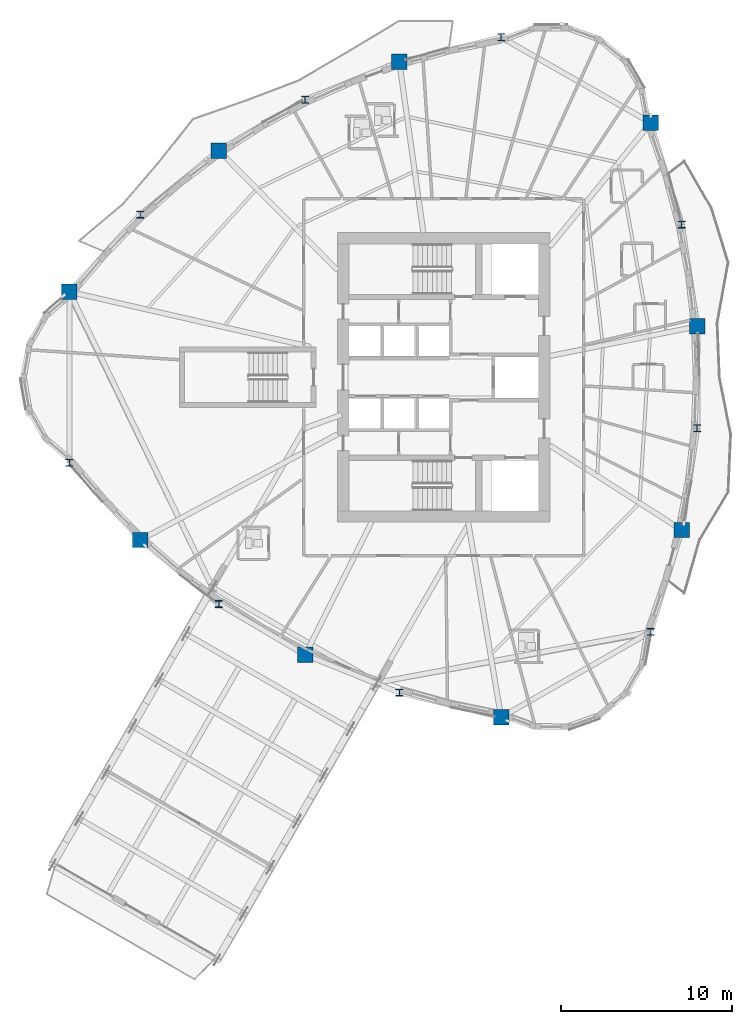
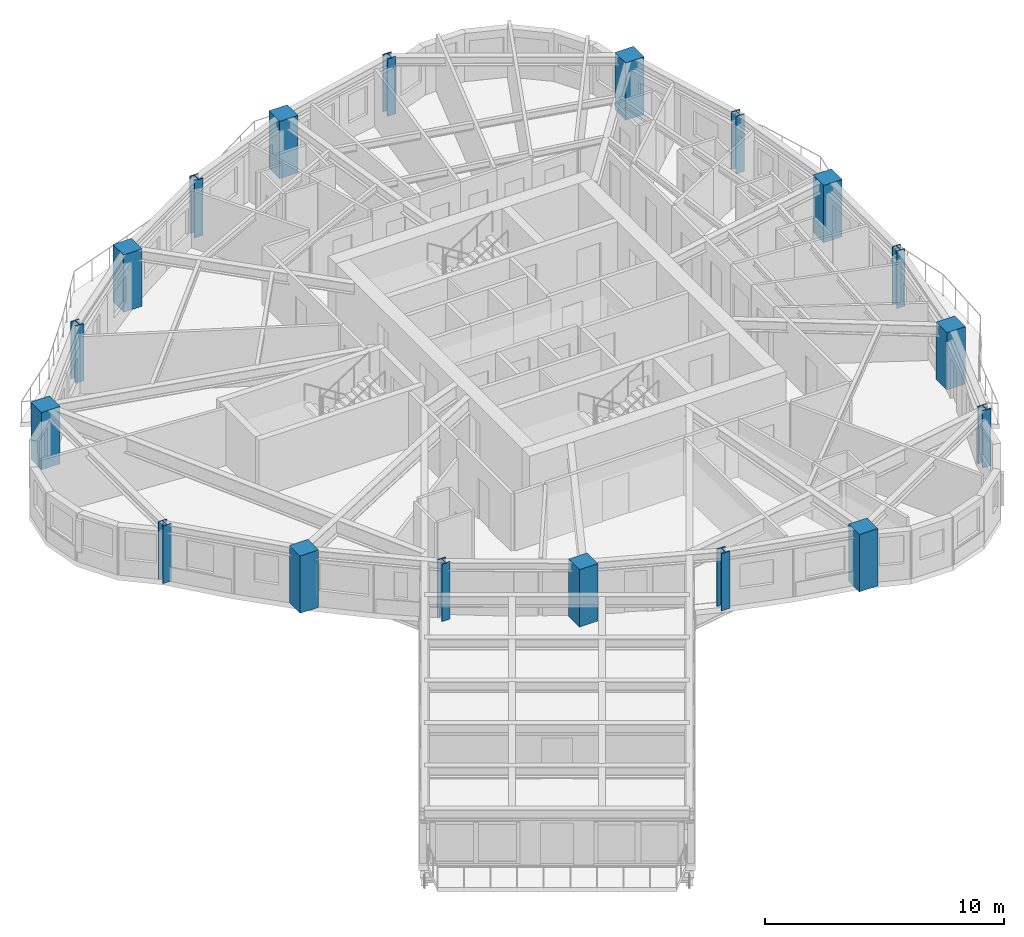
# One storey, part 1 of 17: 18 columns.
"""IFC4 building model written with IfcOpenShell, lengths in metres."""

from ifc_helpers import new_model, si_unit, direction, frame, origin, origin_2d, place, context, subcontext, project, spatial, rectangle, i_section, extrude, source, transform, mapped, material, material_profile, profile_set, type_object, element, save


model = new_model("IFC4")

# Units and contexts
model_context = context("Model", 3, precision=1e-05, world=origin(), true_north=direction((0.0, 1.0)))
body_context = subcontext(model_context, "Body", "Model", "MODEL_VIEW")
ifc_project = project(units=[si_unit("LENGTHUNIT", "METRE"), si_unit("AREAUNIT", "SQUARE_METRE"), si_unit("VOLUMEUNIT", "CUBIC_METRE"), si_unit("PLANEANGLEUNIT", "RADIAN"), si_unit("MASSUNIT", "GRAM", prefix="KILO")], contexts=[model_context])

# Site, building, storey
site_placement = place(None, origin())
site = spatial("IfcSite", under=ifc_project, at=site_placement, CompositionType="ELEMENT")
building_placement = place(site_placement, origin())
building = spatial("IfcBuilding", under=site, at=building_placement, Name="Qafzar Sky-Pleat Residences", CompositionType="ELEMENT")
storey_placement = place(building_placement, frame((0.0, 0.0, 108.800048828125)))
storey = spatial("IfcBuildingStorey", under=building, at=storey_placement, Name="L32", CompositionType="ELEMENT", Elevation=108.800048828125)

# Columns
ifc_material_1 = material(Name="Concrete C60/75", Category="concrete")
ifc_material_profile_1 = material_profile(ifc_material_1, rectangle(XDim=0.89990234375, YDim=0.89990234375, at=origin_2d()), Name="RC 900x900")
ifc_profile_set_1 = profile_set([ifc_material_profile_1], Name="Concrete C60/75")
column_type_1 = type_object("IfcColumnType", Name="COL-RC-900", PredefinedType="COLUMN", material=ifc_profile_set_1)
shared_shape_1 = source(origin(), body_context, "Body", "SweptSolid", [
    extrude(rectangle(XDim=0.89990234375, YDim=0.89990234375, at=origin_2d()), origin(), (0.0, 0.0, 1.0), 2.93505859375),
])
for number, where, z_axis, x_axis, name in (
    (1, (8.47412109375, 30.996337890625, 0.0), (0.0, 0.0, 1.0), (1.0, 0.0, 0.0), "L32 Perimeter Mega Column 1"),
    (2, (12.61572265625, 16.49462890625, 0.0), (0.0, 0.0, 1.0), (1.0, 0.0, 0.0), "L32 Perimeter Mega Column 3"),
    (3, (22.255615234375, 9.777587890625, 0.0), (0.0, 0.0, 1.0), (1.0, 0.0, 0.0), "L32 Perimeter Mega Column 5"),
    (4, (33.704345703125, 6.12841796875, 0.0), (0.0, 0.0, 1.0), (1.0, 0.0, 0.0), "L32 Perimeter Mega Column 7"),
    (5, (44.2587890625, 17.07470703125, 0.0), (0.0, 0.0, 1.0), (1.0, 0.0, 0.0), "L32 Perimeter Mega Column 9"),
    (6, (45.163330078125, 28.97509765625, 0.0), (0.0, 0.0, 1.0), (1.0, 0.0, 0.0), "L32 Perimeter Mega Column 11"),
    (7, (42.449951171875, 40.87548828125, 0.0), (0.0, 0.0, 1.0), (1.0, 0.0, 0.0), "L32 Perimeter Mega Column 13"),
    (8, (27.75390625, 44.4306640625, 0.0), (0.0, 0.0, 1.0), (1.0, 0.0, 0.0), "L32 Perimeter Mega Column 15"),
    (9, (17.20947265625, 39.247314453125, 0.0), (0.0, 0.0, 1.0), (1.0, 0.0, 0.0), "L32 Perimeter Mega Column 17"),
):
    element("IfcColumn", number, at=place(storey_placement, frame(where, z_axis=z_axis, x_axis=x_axis)), inside=storey, type_object=column_type_1, Name=name, PredefinedType="COLUMN", context=body_context, shape_type="MappedRepresentation", body=[
        mapped(shared_shape_1, transform((0.0, 0.0, 0.0), x_axis=(1.0, 0.0, 0.0), y_axis=(0.0, 1.0, 0.0), z_axis=(0.0, 0.0, 1.0), scale=1.0)),
    ])
ifc_material_2 = material(Name="Steel S460", Category="steel")
ifc_material_profile_2 = material_profile(ifc_material_2, i_section(OverallWidth=0.406005859375, OverallDepth=0.416015625, WebThickness=0.027099609375, FlangeThickness=0.0439453125, FilletRadius=0.014892578125, at=origin_2d()), Name="HD 400x382")
ifc_profile_set_2 = profile_set([ifc_material_profile_2], Name="Steel S460")
column_type_2 = type_object("IfcColumnType", Name="COL-STL-HD382", PredefinedType="PILASTER", material=ifc_profile_set_2)
shared_shape_2 = source(origin(), body_context, "Body", "SweptSolid", [
    extrude(i_section(OverallWidth=0.406005859375, OverallDepth=0.416015625, WebThickness=0.027099609375, FlangeThickness=0.0439453125, FilletRadius=0.014892578125, at=origin_2d()), origin(), (0.0, 0.0, 1.0), 2.93505859375),
])
for number, where, z_axis, x_axis, name in (
    (10, (8.47412109375, 21.003662109375, 0.0), (0.0, 0.0, 1.0), (1.0, 0.0, 0.0), "L32 Perimeter Mega Column 2"),
    (11, (17.20947265625, 12.752685546875, 0.0), (0.0, 0.0, 1.0), (1.0, 0.0, 0.0), "L32 Perimeter Mega Column 4"),
    (12, (27.75390625, 7.5693359375, 0.0), (0.0, 0.0, 1.0), (1.0, 0.0, 0.0), "L32 Perimeter Mega Column 6"),
    (13, (42.449951171875, 11.12451171875, 0.0), (0.0, 0.0, 1.0), (1.0, 0.0, 0.0), "L32 Perimeter Mega Column 8"),
    (14, (45.163330078125, 23.02490234375, 0.0), (0.0, 0.0, 1.0), (1.0, 0.0, 0.0), "L32 Perimeter Mega Column 10"),
    (15, (44.2587890625, 34.92529296875, 0.0), (0.0, 0.0, 1.0), (1.0, 0.0, 0.0), "L32 Perimeter Mega Column 12"),
    (16, (33.704345703125, 45.87158203125, 0.0), (0.0, 0.0, 1.0), (1.0, 0.0, 0.0), "L32 Perimeter Mega Column 14"),
    (17, (22.255615234375, 42.222412109375, 0.0), (0.0, 0.0, 1.0), (1.0, 0.0, 0.0), "L32 Perimeter Mega Column 16"),
    (18, (12.61572265625, 35.50537109375, 0.0), (0.0, 0.0, 1.0), (1.0, 0.0, 0.0), "L32 Perimeter Mega Column 18"),
):
    element("IfcColumn", number, at=place(storey_placement, frame(where, z_axis=z_axis, x_axis=x_axis)), inside=storey, type_object=column_type_2, Name=name, PredefinedType="PILASTER", context=body_context, shape_type="MappedRepresentation", body=[
        mapped(shared_shape_2, transform((0.0, 0.0, 0.0), x_axis=(1.0, 0.0, 0.0), y_axis=(0.0, 1.0, 0.0), z_axis=(0.0, 0.0, 1.0), scale=1.0)),
    ])

save(model, "model.ifc")
